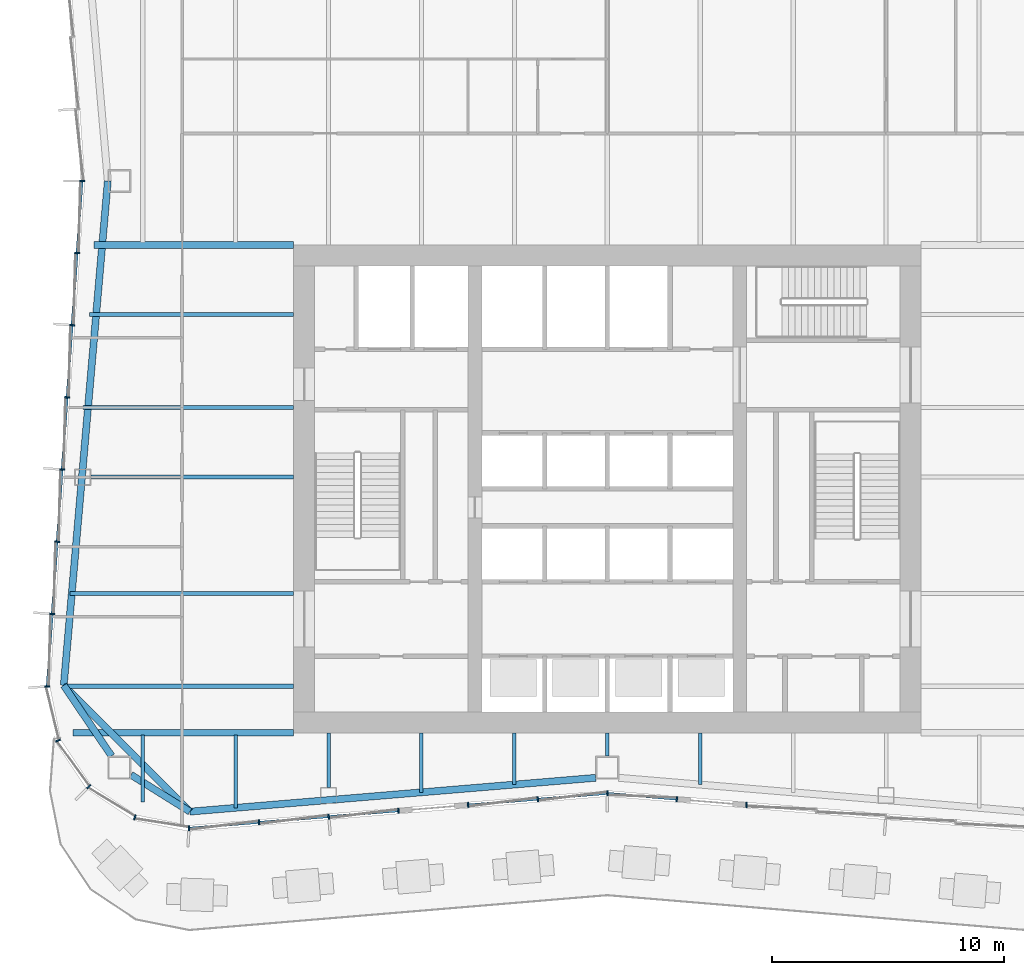
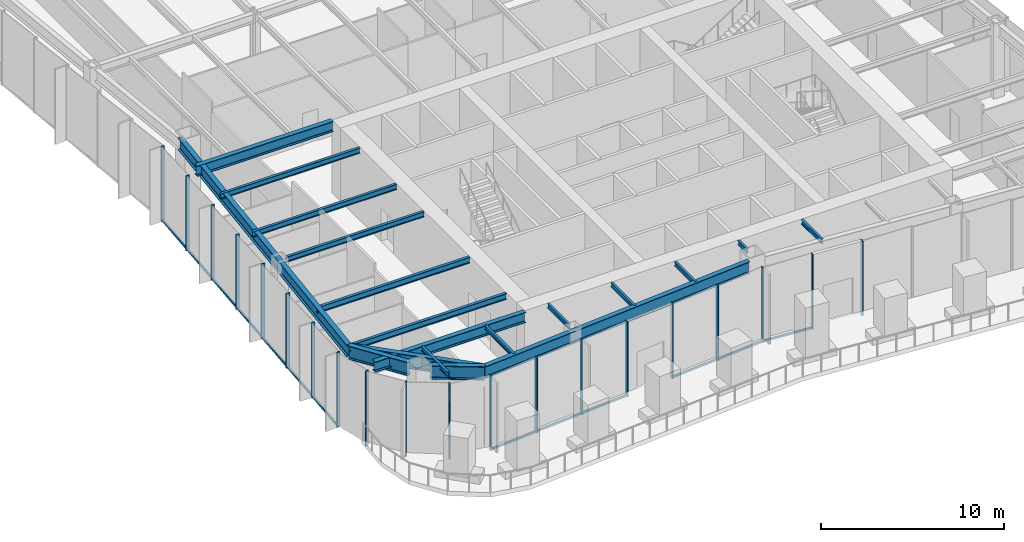
# One storey, part 2 of 16: 24 members, 19 beams, 3 elements without a shape of their own.
"""IFC4 building model written with IfcOpenShell, lengths in metres."""

from ifc_helpers import new_model, si_unit, direction, frame, origin, origin_2d, place, context, subcontext, project, spatial, rectangle, i_section, extrude, material, material_profile, profile_set, type_object, element, aggregate, save


model = new_model("IFC4")

# Units and contexts
model_context = context("Model", 3, precision=1e-05, world=origin(), true_north=direction((0.0, 1.0)))
body_context = subcontext(model_context, "Body", "Model", "MODEL_VIEW")
ifc_project = project(units=[si_unit("LENGTHUNIT", "METRE"), si_unit("AREAUNIT", "SQUARE_METRE"), si_unit("VOLUMEUNIT", "CUBIC_METRE"), si_unit("PLANEANGLEUNIT", "RADIAN"), si_unit("MASSUNIT", "GRAM", prefix="KILO")], contexts=[model_context])

# Site, building, storey
site_placement = place(None, origin())
site = spatial("IfcSite", under=ifc_project, at=site_placement, CompositionType="ELEMENT")
building_placement = place(site_placement, origin())
building = spatial("IfcBuilding", under=site, at=building_placement, Name="Verdant Reach Tower", CompositionType="ELEMENT")
storey_placement = place(building_placement, frame((0.0, 0.0, 177.0)))
storey = spatial("IfcBuildingStorey", under=building, at=storey_placement, Name="L40", CompositionType="ELEMENT", Elevation=177.0)

# Curtain wall, members
ifc_material_1 = material(Name="Anodised aluminium", Category="aluminium")
curtain_wall_type = type_object("IfcCurtainWallType", Name="EN-CW SYSTEM Z3", PredefinedType="NOTDEFINED", material=ifc_material_1)
curtain_wall_1_placement = place(storey_placement, origin())
curtain_wall_1 = element("IfcCurtainWall", 1, at=curtain_wall_1_placement, inside=storey, type_object=curtain_wall_type, Name="Curtain wall west, L40", PredefinedType="NOTDEFINED")
ifc_material_profile_1 = material_profile(ifc_material_1, rectangle(XDim=0.218017578125, YDim=0.06591796875, at=origin_2d()), Name="Mullion 66x218")
ifc_profile_set_1 = profile_set([ifc_material_profile_1], Name="Anodised aluminium")
member_type_1 = type_object("IfcMemberType", Name="EN-MULLION Z3", PredefinedType="MULLION", material=ifc_profile_set_1)
member_1_placement = place(storey_placement, frame((-22.60888671875, 41.25, -0.35009765625), z_axis=(0.0, 0.0, 1.0), x_axis=(-1.0, 0.0, 0.0)))
member_1 = element("IfcMember", 2, at=member_1_placement, type_object=member_type_1, Name="Mullion west face part 2 1, L40", PredefinedType="MULLION", context=body_context, shape_type="SweptSolid", body=[
    extrude(rectangle(XDim=0.218017578125, YDim=0.06591796875, at=origin_2d()), origin(), (0.0, 0.0, 1.0), 5.0),
])
member_2_placement = place(storey_placement, frame((-22.822998046875, 38.150390625, -0.35009765625), z_axis=(0.0, 0.0, 1.0), x_axis=(-0.997630328423, 0.068802091615, 0.0)))
member_2 = element("IfcMember", 3, at=member_2_placement, type_object=member_type_1, Name="Mullion west face part 2 2, L40", PredefinedType="MULLION", context=body_context, shape_type="SweptSolid", body=[
    extrude(rectangle(XDim=0.218017578125, YDim=0.06591796875, at=origin_2d()), origin(), (0.0, 0.0, 1.0), 5.0),
])
member_3_placement = place(storey_placement, frame((-23.037353515625, 35.043212890625, -0.35009765625), z_axis=(0.0, 0.0, 1.0), x_axis=(-0.997630328423, 0.068802091615, 0.0)))
member_3 = element("IfcMember", 4, at=member_3_placement, type_object=member_type_1, Name="Mullion west face part 2 3, L40", PredefinedType="MULLION", context=body_context, shape_type="SweptSolid", body=[
    extrude(rectangle(XDim=0.218017578125, YDim=0.06591796875, at=origin_2d()), origin(), (0.0, 0.0, 1.0), 5.0),
])
member_4_placement = place(storey_placement, frame((-23.251708984375, 31.93603515625, -0.35009765625), z_axis=(0.0, 0.0, 1.0), x_axis=(-0.997630328423, 0.068802091615, 0.0)))
member_4 = element("IfcMember", 5, at=member_4_placement, type_object=member_type_1, Name="Mullion west face part 2 4, L40", PredefinedType="MULLION", context=body_context, shape_type="SweptSolid", body=[
    extrude(rectangle(XDim=0.218017578125, YDim=0.06591796875, at=origin_2d()), origin(), (0.0, 0.0, 1.0), 5.0),
])
member_5_placement = place(storey_placement, frame((-23.4658203125, 28.828857421875, -0.35009765625), z_axis=(0.0, 0.0, 1.0), x_axis=(-0.997630328423, 0.068802091615, 0.0)))
member_5 = element("IfcMember", 6, at=member_5_placement, type_object=member_type_1, Name="Mullion west face part 2 5, L40", PredefinedType="MULLION", context=body_context, shape_type="SweptSolid", body=[
    extrude(rectangle(XDim=0.218017578125, YDim=0.06591796875, at=origin_2d()), origin(), (0.0, 0.0, 1.0), 5.0),
])
member_6_placement = place(storey_placement, frame((-23.68017578125, 25.7216796875, -0.35009765625), z_axis=(0.0, 0.0, 1.0), x_axis=(-0.997630328423, 0.068802091615, 0.0)))
member_6 = element("IfcMember", 7, at=member_6_placement, type_object=member_type_1, Name="Mullion west face part 2 6, L40", PredefinedType="MULLION", context=body_context, shape_type="SweptSolid", body=[
    extrude(rectangle(XDim=0.218017578125, YDim=0.06591796875, at=origin_2d()), origin(), (0.0, 0.0, 1.0), 5.0),
])
member_7_placement = place(storey_placement, frame((-23.89453125, 22.61474609375, -0.35009765625), z_axis=(0.0, 0.0, 1.0), x_axis=(-0.997630328423, 0.068802091615, 0.0)))
member_7 = element("IfcMember", 8, at=member_7_placement, type_object=member_type_1, Name="Mullion west face part 2 7, L40", PredefinedType="MULLION", context=body_context, shape_type="SweptSolid", body=[
    extrude(rectangle(XDim=0.218017578125, YDim=0.06591796875, at=origin_2d()), origin(), (0.0, 0.0, 1.0), 5.0),
])

curtain_wall_2_placement = place(storey_placement, origin())
curtain_wall_2 = element("IfcCurtainWall", 9, at=curtain_wall_2_placement, inside=storey, type_object=curtain_wall_type, Name="Curtain wall south-west corner, L40", PredefinedType="NOTDEFINED")
member_8_placement = place(storey_placement, frame((-24.10888671875, 19.4931640625, -0.35009765625), z_axis=(0.0, 0.0, 1.0), x_axis=(-0.997969180898, -0.063698618332, 0.0)))
member_8 = element("IfcMember", 10, at=member_8_placement, type_object=member_type_1, Name="Mullion south-west corner 1, L40", PredefinedType="MULLION", context=body_context, shape_type="SweptSolid", body=[
    extrude(rectangle(XDim=0.218017578125, YDim=0.06591796875, at=origin_2d()), origin(), (0.0, 0.0, 1.0), 5.0),
])
member_9_placement = place(storey_placement, frame((-23.64404296875, 17.162109375, -0.35009765625), z_axis=(0.0, 0.0, 1.0), x_axis=(-0.923875215753, -0.382693853776, 0.0)))
member_9 = element("IfcMember", 11, at=member_9_placement, type_object=member_type_1, Name="Mullion south-west corner 2, L40", PredefinedType="MULLION", context=body_context, shape_type="SweptSolid", body=[
    extrude(rectangle(XDim=0.218017578125, YDim=0.06591796875, at=origin_2d()), origin(), (0.0, 0.0, 1.0), 5.0),
])
member_10_placement = place(storey_placement, frame((-22.319580078125, 15.180419921875, -0.35009765625), z_axis=(0.0, 0.0, 1.0), x_axis=(-0.707106781187, -0.707106781187, 0.0)))
member_10 = element("IfcMember", 12, at=member_10_placement, type_object=member_type_1, Name="Mullion south-west corner 3, L40", PredefinedType="MULLION", context=body_context, shape_type="SweptSolid", body=[
    extrude(rectangle(XDim=0.218017578125, YDim=0.06591796875, at=origin_2d()), origin(), (0.0, 0.0, 1.0), 5.0),
])
member_11_placement = place(storey_placement, frame((-20.337890625, 13.85595703125, -0.35009765625), z_axis=(0.0, 0.0, 1.0), x_axis=(-0.382693853776, -0.923875215753, 0.0)))
member_11 = element("IfcMember", 13, at=member_11_placement, type_object=member_type_1, Name="Mullion south-west corner 4, L40", PredefinedType="MULLION", context=body_context, shape_type="SweptSolid", body=[
    extrude(rectangle(XDim=0.218017578125, YDim=0.06591796875, at=origin_2d()), origin(), (0.0, 0.0, 1.0), 5.0),
])
aggregate(curtain_wall_2, [member_8, member_9, member_10, member_11])

curtain_wall_3_placement = place(storey_placement, origin())
curtain_wall_3 = element("IfcCurtainWall", 14, at=curtain_wall_3_placement, inside=storey, type_object=curtain_wall_type, Name="Curtain wall south, L40", PredefinedType="NOTDEFINED")
member_12_placement = place(storey_placement, frame((-18.006103515625, 13.39111328125, -0.35009765625), z_axis=(0.0, 0.0, 1.0), x_axis=(-0.056569187765, -0.998398681387, 0.0)))
member_12 = element("IfcMember", 15, at=member_12_placement, type_object=member_type_1, Name="Mullion south face part 1 1, L40", PredefinedType="MULLION", context=body_context, shape_type="SweptSolid", body=[
    extrude(rectangle(XDim=0.218017578125, YDim=0.06591796875, at=origin_2d()), origin(), (0.0, 0.0, 1.0), 5.0),
])
member_13_placement = place(storey_placement, frame((-14.990966796875, 13.641357421875, -0.35009765625), z_axis=(0.0, 0.0, 1.0), x_axis=(0.083045479859, -0.996545758244, 0.0)))
member_13 = element("IfcMember", 16, at=member_13_placement, type_object=member_type_1, Name="Mullion south face part 1 2, L40", PredefinedType="MULLION", context=body_context, shape_type="SweptSolid", body=[
    extrude(rectangle(XDim=0.218017578125, YDim=0.06591796875, at=origin_2d()), origin(), (0.0, 0.0, 1.0), 5.0),
])
member_14_placement = place(storey_placement, frame((-11.990966796875, 13.891357421875, -0.35009765625), z_axis=(0.0, 0.0, 1.0), x_axis=(0.083045479859, -0.996545758244, 0.0)))
member_14 = element("IfcMember", 17, at=member_14_placement, type_object=member_type_1, Name="Mullion south face part 1 3, L40", PredefinedType="MULLION", context=body_context, shape_type="SweptSolid", body=[
    extrude(rectangle(XDim=0.218017578125, YDim=0.06591796875, at=origin_2d()), origin(), (0.0, 0.0, 1.0), 5.0),
])
member_15_placement = place(storey_placement, frame((-8.990966796875, 14.141357421875, -0.35009765625), z_axis=(0.0, 0.0, 1.0), x_axis=(0.083045479859, -0.996545758244, 0.0)))
member_15 = element("IfcMember", 18, at=member_15_placement, type_object=member_type_1, Name="Mullion south face part 1 4, L40", PredefinedType="MULLION", context=body_context, shape_type="SweptSolid", body=[
    extrude(rectangle(XDim=0.218017578125, YDim=0.06591796875, at=origin_2d()), origin(), (0.0, 0.0, 1.0), 5.0),
])
member_16_placement = place(storey_placement, frame((-5.990966796875, 14.391357421875, -0.35009765625), z_axis=(0.0, 0.0, 1.0), x_axis=(0.083045479859, -0.996545758244, 0.0)))
member_16 = element("IfcMember", 19, at=member_16_placement, type_object=member_type_1, Name="Mullion south face part 1 5, L40", PredefinedType="MULLION", context=body_context, shape_type="SweptSolid", body=[
    extrude(rectangle(XDim=0.218017578125, YDim=0.06591796875, at=origin_2d()), origin(), (0.0, 0.0, 1.0), 5.0),
])
member_17_placement = place(storey_placement, frame((-2.990966796875, 14.641357421875, -0.35009765625), z_axis=(0.0, 0.0, 1.0), x_axis=(0.083045479859, -0.996545758244, 0.0)))
member_17 = element("IfcMember", 20, at=member_17_placement, type_object=member_type_1, Name="Mullion south face part 1 6, L40", PredefinedType="MULLION", context=body_context, shape_type="SweptSolid", body=[
    extrude(rectangle(XDim=0.218017578125, YDim=0.06591796875, at=origin_2d()), origin(), (0.0, 0.0, 1.0), 5.0),
])
member_18_placement = place(storey_placement, frame((0.0, 14.89111328125, -0.35009765625), z_axis=(0.0, 0.0, 1.0), x_axis=(0.0, -1.0, 0.0)))
member_18 = element("IfcMember", 21, at=member_18_placement, type_object=member_type_1, Name="Mullion south face part 2 1, L40", PredefinedType="MULLION", context=body_context, shape_type="SweptSolid", body=[
    extrude(rectangle(XDim=0.218017578125, YDim=0.06591796875, at=origin_2d()), origin(), (0.0, 0.0, 1.0), 5.0),
])
member_19_placement = place(storey_placement, frame((2.990966796875, 14.641357421875, -0.35009765625), z_axis=(0.0, 0.0, 1.0), x_axis=(-0.083045479859, -0.996545758244, 0.0)))
member_19 = element("IfcMember", 22, at=member_19_placement, type_object=member_type_1, Name="Mullion south face part 2 2, L40", PredefinedType="MULLION", context=body_context, shape_type="SweptSolid", body=[
    extrude(rectangle(XDim=0.218017578125, YDim=0.06591796875, at=origin_2d()), origin(), (0.0, 0.0, 1.0), 5.0),
])
member_20_placement = place(storey_placement, frame((5.990966796875, 14.391357421875, -0.35009765625), z_axis=(0.0, 0.0, 1.0), x_axis=(-0.083045479859, -0.996545758244, 0.0)))
member_20 = element("IfcMember", 23, at=member_20_placement, type_object=member_type_1, Name="Mullion south face part 2 3, L40", PredefinedType="MULLION", context=body_context, shape_type="SweptSolid", body=[
    extrude(rectangle(XDim=0.218017578125, YDim=0.06591796875, at=origin_2d()), origin(), (0.0, 0.0, 1.0), 5.0),
])

# Member
ifc_material_profile_2 = material_profile(ifc_material_1, rectangle(XDim=0.10009765625, YDim=0.1259765625, at=origin_2d()), Name="Transom 126x100")
ifc_profile_set_2 = profile_set([ifc_material_profile_2], Name="Anodised aluminium")
member_type_2 = type_object("IfcMemberType", Name="EN-TRANSOM Z3", PredefinedType="USERDEFINED", material=ifc_profile_set_2)
member_21_placement = place(storey_placement, frame((-22.611328125, 41.217041015625, -0.287109375), z_axis=(-0.068764326054, -0.997632932226, 0.0), x_axis=(0.997632932226, -0.068764326054, 0.0)))
member_21 = element("IfcMember", 24, at=member_21_placement, type_object=member_type_2, Name="Transom west face part 2 1.1, L40", ObjectType="TRANSOM", PredefinedType="USERDEFINED", context=body_context, shape_type="SweptSolid", body=[
    extrude(rectangle(XDim=0.10009765625, YDim=0.1259765625, at=origin_2d()), origin(), (0.0, 0.0, 1.0), 21.74267578125),
])

aggregate(curtain_wall_1, [member_1, member_2, member_3, member_4, member_5, member_6, member_7, member_21])

member_22_placement = place(storey_placement, frame((-17.973388671875, 13.393798828125, -0.287109375), z_axis=(0.996554190111, 0.082944235317, 0.0), x_axis=(-0.082944235317, 0.996554190111, 0.0)))
member_22 = element("IfcMember", 25, at=member_22_placement, type_object=member_type_2, Name="Transom south face part 1 1.1, L40", ObjectType="TRANSOM", PredefinedType="USERDEFINED", context=body_context, shape_type="SweptSolid", body=[
    extrude(rectangle(XDim=0.10009765625, YDim=0.1259765625, at=origin_2d()), origin(), (0.0, 0.0, 1.0), 8.98046875),
])

member_23_placement = place(storey_placement, frame((-5.9580078125, 14.39404296875, -0.287109375), z_axis=(0.996540375579, 0.083110046569, 0.0), x_axis=(-0.083110046569, 0.996540375579, 0.0)))
member_23 = element("IfcMember", 26, at=member_23_placement, type_object=member_type_2, Name="Transom south face part 1 2.1, L40", ObjectType="TRANSOM", PredefinedType="USERDEFINED", context=body_context, shape_type="SweptSolid", body=[
    extrude(rectangle(XDim=0.10009765625, YDim=0.1259765625, at=origin_2d()), origin(), (0.0, 0.0, 1.0), 5.945556640625),
])

member_24_placement = place(storey_placement, frame((0.032958984375, 14.88818359375, -0.287109375), z_axis=(0.996534850703, -0.083176266647, 0.0), x_axis=(0.083176266647, 0.996534850703, 0.0)))
member_24 = element("IfcMember", 27, at=member_24_placement, type_object=member_type_2, Name="Transom south face part 2 1.1, L40", ObjectType="TRANSOM", PredefinedType="USERDEFINED", context=body_context, shape_type="SweptSolid", body=[
    extrude(rectangle(XDim=0.10009765625, YDim=0.1259765625, at=origin_2d()), origin(), (0.0, 0.0, 1.0), 2.935302734375),
])

aggregate(curtain_wall_3, [member_12, member_13, member_14, member_15, member_16, member_17, member_22, member_23, member_18, member_19, member_20, member_24])

# Beams
ifc_material_2 = material(Name="Steel S355", Category="steel")
ifc_material_profile_3 = material_profile(ifc_material_2, i_section(OverallWidth=0.300048828125, OverallDepth=0.699951171875, WebThickness=0.01708984375, FlangeThickness=0.031982421875, FilletRadius=0.027099609375, at=origin_2d()), Name="HEB 700")
ifc_profile_set_3 = profile_set([ifc_material_profile_3], Name="Steel S355")
beam_type_1 = type_object("IfcBeamType", Name="ST-BEAM-HEB700", PredefinedType="BEAM", material=ifc_profile_set_3)
beam_1_placement = place(storey_placement, frame((-13.5, 38.5, 4.52001953125), z_axis=(-1.0, 0.0, 0.0), x_axis=(0.0, -1.0, 0.0)))
element("IfcBeam", 28, at=beam_1_placement, inside=storey, type_object=beam_type_1, Name="Trimmer beam, L40", PredefinedType="BEAM", context=body_context, shape_type="SweptSolid", body=[
    extrude(i_section(OverallWidth=0.300048828125, OverallDepth=0.699951171875, WebThickness=0.01708984375, FlangeThickness=0.031982421875, FilletRadius=0.027099609375, at=origin_2d()), origin(), (0.0, 0.0, 1.0), 8.588134765625),
])
beam_2_placement = place(storey_placement, frame((-13.5, 17.5, 4.52001953125), z_axis=(-1.0, 0.0, 0.0), x_axis=(0.0, -1.0, 0.0)))
element("IfcBeam", 29, at=beam_2_placement, inside=storey, type_object=beam_type_1, Name="Trimmer beam, L40", PredefinedType="BEAM", context=body_context, shape_type="SweptSolid", body=[
    extrude(i_section(OverallWidth=0.300048828125, OverallDepth=0.699951171875, WebThickness=0.01708984375, FlangeThickness=0.031982421875, FilletRadius=0.027099609375, at=origin_2d()), origin(), (0.0, 0.0, 1.0), 9.490478515625),
])
ifc_material_profile_4 = material_profile(ifc_material_2, i_section(OverallWidth=0.302001953125, OverallDepth=0.909912109375, WebThickness=0.02099609375, FlangeThickness=0.0400390625, FilletRadius=0.030029296875, at=origin_2d()), Name="HEM 900")
ifc_profile_set_4 = profile_set([ifc_material_profile_4], Name="Steel S355")
beam_type_2 = type_object("IfcBeamType", Name="ST-BEAM-HEM900", PredefinedType="BEAM", material=ifc_profile_set_4)
beam_3_placement = place(storey_placement, frame((-20.5, 15.687744140625, 4.4150390625), z_axis=(0.848163521635, -0.529734500073, 0.0), x_axis=(0.529734500073, 0.848163521635, 0.0)))
element("IfcBeam", 30, at=beam_3_placement, inside=storey, type_object=beam_type_2, Name="Column stub beam, L40", PredefinedType="BEAM", context=body_context, shape_type="SweptSolid", body=[
    extrude(i_section(OverallWidth=0.302001953125, OverallDepth=0.909912109375, WebThickness=0.02099609375, FlangeThickness=0.0400390625, FilletRadius=0.030029296875, at=origin_2d()), origin(), (0.0, 0.0, 1.0), 2.98779296875),
])
beam_4_placement = place(storey_placement, frame((-21.33837890625, 16.5, 4.4150390625), z_axis=(-0.560703975309, 0.828016335631, 0.0), x_axis=(-0.828016335631, -0.560703975309, 0.0)))
element("IfcBeam", 31, at=beam_4_placement, inside=storey, type_object=beam_type_2, Name="Column stub beam, L40", PredefinedType="BEAM", context=body_context, shape_type="SweptSolid", body=[
    extrude(i_section(OverallWidth=0.302001953125, OverallDepth=0.909912109375, WebThickness=0.02099609375, FlangeThickness=0.0400390625, FilletRadius=0.030029296875, at=origin_2d()), origin(), (0.0, 0.0, 1.0), 3.669677734375),
])
ifc_material_profile_5 = material_profile(ifc_material_2, i_section(OverallWidth=0.14990234375, OverallDepth=0.300048828125, WebThickness=0.007080078125, FlangeThickness=0.0107421875, FilletRadius=0.014892578125, at=origin_2d()), Name="IPE 300")
ifc_profile_set_5 = profile_set([ifc_material_profile_5], Name="Steel S355")
beam_type_3 = type_object("IfcBeamType", Name="ST-JOIST-IPE300", PredefinedType="JOIST", material=ifc_profile_set_5)
beam_5_placement = place(storey_placement, frame((-20.0, 17.39990234375, 4.719970703125), z_axis=(0.0, -1.0, 0.0), x_axis=(1.0, 0.0, 0.0)))
element("IfcBeam", 32, at=beam_5_placement, inside=storey, type_object=beam_type_3, Name="Floor joist, L40", PredefinedType="JOIST", context=body_context, shape_type="SweptSolid", body=[
    extrude(i_section(OverallWidth=0.14990234375, OverallDepth=0.300048828125, WebThickness=0.007080078125, FlangeThickness=0.0107421875, FilletRadius=0.014892578125, at=origin_2d()), origin(), (0.0, 0.0, 1.0), 2.890380859375),
])
beam_6_placement = place(storey_placement, frame((-16.0, 17.39990234375, 4.719970703125), z_axis=(0.0, -1.0, 0.0), x_axis=(1.0, 0.0, 0.0)))
element("IfcBeam", 33, at=beam_6_placement, inside=storey, type_object=beam_type_3, Name="Floor joist, L40", PredefinedType="JOIST", context=body_context, shape_type="SweptSolid", body=[
    extrude(i_section(OverallWidth=0.14990234375, OverallDepth=0.300048828125, WebThickness=0.007080078125, FlangeThickness=0.0107421875, FilletRadius=0.014892578125, at=origin_2d()), origin(), (0.0, 0.0, 1.0), 3.131103515625),
])
beam_7_placement = place(storey_placement, frame((-12.0, 17.5, 4.719970703125), z_axis=(0.0, -1.0, 0.0), x_axis=(1.0, 0.0, 0.0)))
element("IfcBeam", 34, at=beam_7_placement, inside=storey, type_object=beam_type_3, Name="Floor joist, L40", PredefinedType="JOIST", context=body_context, shape_type="SweptSolid", body=[
    extrude(i_section(OverallWidth=0.14990234375, OverallDepth=0.300048828125, WebThickness=0.007080078125, FlangeThickness=0.0107421875, FilletRadius=0.014892578125, at=origin_2d()), origin(), (0.0, 0.0, 1.0), 2.35009765625),
])
beam_8_placement = place(storey_placement, frame((-8.0, 17.5, 4.719970703125), z_axis=(0.0, -1.0, 0.0), x_axis=(1.0, 0.0, 0.0)))
element("IfcBeam", 35, at=beam_8_placement, inside=storey, type_object=beam_type_3, Name="Floor joist, L40", PredefinedType="JOIST", context=body_context, shape_type="SweptSolid", body=[
    extrude(i_section(OverallWidth=0.14990234375, OverallDepth=0.300048828125, WebThickness=0.007080078125, FlangeThickness=0.0107421875, FilletRadius=0.014892578125, at=origin_2d()), origin(), (0.0, 0.0, 1.0), 2.564697265625),
])
beam_9_placement = place(storey_placement, frame((-4.0, 17.5, 4.719970703125), z_axis=(0.0, -1.0, 0.0), x_axis=(1.0, 0.0, 0.0)))
element("IfcBeam", 36, at=beam_9_placement, inside=storey, type_object=beam_type_3, Name="Floor joist, L40", PredefinedType="JOIST", context=body_context, shape_type="SweptSolid", body=[
    extrude(i_section(OverallWidth=0.14990234375, OverallDepth=0.300048828125, WebThickness=0.007080078125, FlangeThickness=0.0107421875, FilletRadius=0.014892578125, at=origin_2d()), origin(), (0.0, 0.0, 1.0), 2.231201171875),
])
beam_10_placement = place(storey_placement, frame((0.0, 17.5, 4.719970703125), z_axis=(0.0, -1.0, 0.0), x_axis=(1.0, 0.0, 0.0)))
element("IfcBeam", 37, at=beam_10_placement, inside=storey, type_object=beam_type_3, Name="Floor joist, L40", PredefinedType="JOIST", context=body_context, shape_type="SweptSolid", body=[
    extrude(i_section(OverallWidth=0.14990234375, OverallDepth=0.300048828125, WebThickness=0.007080078125, FlangeThickness=0.0107421875, FilletRadius=0.014892578125, at=origin_2d()), origin(), (0.0, 0.0, 1.0), 1.0),
])
beam_11_placement = place(storey_placement, frame((4.0, 17.5, 4.719970703125), z_axis=(0.0, -1.0, 0.0), x_axis=(1.0, 0.0, 0.0)))
element("IfcBeam", 38, at=beam_11_placement, inside=storey, type_object=beam_type_3, Name="Floor joist, L40", PredefinedType="JOIST", context=body_context, shape_type="SweptSolid", body=[
    extrude(i_section(OverallWidth=0.14990234375, OverallDepth=0.300048828125, WebThickness=0.007080078125, FlangeThickness=0.0107421875, FilletRadius=0.014892578125, at=origin_2d()), origin(), (0.0, 0.0, 1.0), 2.231201171875),
])
ifc_material_profile_6 = material_profile(ifc_material_2, i_section(OverallWidth=0.169921875, OverallDepth=0.360107421875, WebThickness=0.008056640625, FlangeThickness=0.0126953125, FilletRadius=0.01806640625, at=origin_2d()), Name="IPE 360")
ifc_profile_set_6 = profile_set([ifc_material_profile_6], Name="Steel S355")
beam_type_4 = type_object("IfcBeamType", Name="ST-JOIST-IPE360", PredefinedType="JOIST", material=ifc_profile_set_6)
beam_12_placement = place(storey_placement, frame((-13.5, 28.5, 4.68994140625), z_axis=(-1.0, 0.0, 0.0), x_axis=(0.0, -1.0, 0.0)))
element("IfcBeam", 39, at=beam_12_placement, inside=storey, type_object=beam_type_4, Name="Floor joist, L40", PredefinedType="JOIST", context=body_context, shape_type="SweptSolid", body=[
    extrude(i_section(OverallWidth=0.169921875, OverallDepth=0.360107421875, WebThickness=0.008056640625, FlangeThickness=0.0126953125, FilletRadius=0.01806640625, at=origin_2d()), origin(), (0.0, 0.0, 1.0), 8.729248046875),
])
beam_13_placement = place(storey_placement, frame((-13.5, 31.5, 4.68994140625), z_axis=(-1.0, 0.0, 0.0), x_axis=(0.0, -1.0, 0.0)))
element("IfcBeam", 40, at=beam_13_placement, inside=storey, type_object=beam_type_4, Name="Floor joist, L40", PredefinedType="JOIST", context=body_context, shape_type="SweptSolid", body=[
    extrude(i_section(OverallWidth=0.169921875, OverallDepth=0.360107421875, WebThickness=0.008056640625, FlangeThickness=0.0126953125, FilletRadius=0.01806640625, at=origin_2d()), origin(), (0.0, 0.0, 1.0), 9.071044921875),
])
beam_14_placement = place(storey_placement, frame((-13.5, 35.5, 4.68994140625), z_axis=(-1.0, 0.0, 0.0), x_axis=(0.0, -1.0, 0.0)))
element("IfcBeam", 41, at=beam_14_placement, inside=storey, type_object=beam_type_4, Name="Floor joist, L40", PredefinedType="JOIST", context=body_context, shape_type="SweptSolid", body=[
    extrude(i_section(OverallWidth=0.169921875, OverallDepth=0.360107421875, WebThickness=0.008056640625, FlangeThickness=0.0126953125, FilletRadius=0.01806640625, at=origin_2d()), origin(), (0.0, 0.0, 1.0), 8.795166015625),
])
ifc_material_profile_7 = material_profile(ifc_material_2, i_section(OverallWidth=0.179931640625, OverallDepth=0.39990234375, WebThickness=0.008544921875, FlangeThickness=0.013427734375, FilletRadius=0.02099609375, at=origin_2d()), Name="IPE 400")
ifc_profile_set_7 = profile_set([ifc_material_profile_7], Name="Steel S355")
beam_type_5 = type_object("IfcBeamType", Name="ST-JOIST-IPE400", PredefinedType="JOIST", material=ifc_profile_set_7)
beam_15_placement = place(storey_placement, frame((-13.5, 19.5, 4.669921875), z_axis=(-1.0, 0.0, 0.0), x_axis=(0.0, -1.0, 0.0)))
element("IfcBeam", 42, at=beam_15_placement, inside=storey, type_object=beam_type_5, Name="Floor joist, L40", PredefinedType="JOIST", context=body_context, shape_type="SweptSolid", body=[
    extrude(i_section(OverallWidth=0.179931640625, OverallDepth=0.39990234375, WebThickness=0.008544921875, FlangeThickness=0.013427734375, FilletRadius=0.02099609375, at=origin_2d()), origin(), (0.0, 0.0, 1.0), 9.88818359375),
])
beam_16_placement = place(storey_placement, frame((-13.5, 23.5, 4.669921875), z_axis=(-1.0, 0.0, 0.0), x_axis=(0.0, -1.0, 0.0)))
element("IfcBeam", 43, at=beam_16_placement, inside=storey, type_object=beam_type_5, Name="Floor joist, L40", PredefinedType="JOIST", context=body_context, shape_type="SweptSolid", body=[
    extrude(i_section(OverallWidth=0.179931640625, OverallDepth=0.39990234375, WebThickness=0.008544921875, FlangeThickness=0.013427734375, FilletRadius=0.02099609375, at=origin_2d()), origin(), (0.0, 0.0, 1.0), 9.622802734375),
])
ifc_material_profile_8 = material_profile(ifc_material_2, i_section(OverallWidth=0.300048828125, OverallDepth=0.800048828125, WebThickness=0.017578125, FlangeThickness=0.032958984375, FilletRadius=0.030029296875, at=origin_2d()), Name="HEB 800")
ifc_profile_set_8 = profile_set([ifc_material_profile_8], Name="Steel S355")
beam_type_6 = type_object("IfcBeamType", Name="ST-SPANDREL-HEB800", PredefinedType="SPANDREL", material=ifc_profile_set_8)
beam_17_placement = place(storey_placement, frame((-0.5, 15.560302734375, 4.469970703125), z_axis=(-0.99654652675, -0.083036257282, 0.0), x_axis=(0.083036257282, -0.99654652675, 0.0)))
element("IfcBeam", 44, at=beam_17_placement, inside=storey, type_object=beam_type_6, Name="Edge beam, L40", PredefinedType="SPANDREL", context=body_context, shape_type="SweptSolid", body=[
    extrude(i_section(OverallWidth=0.300048828125, OverallDepth=0.800048828125, WebThickness=0.017578125, FlangeThickness=0.032958984375, FilletRadius=0.030029296875, at=origin_2d()), origin(), (0.0, 0.0, 1.0), 17.5263671875),
])
beam_18_placement = place(storey_placement, frame((-23.39599609375, 19.53857421875, 4.469970703125), z_axis=(0.086996024331, 0.996208658741, 0.0), x_axis=(-0.996208658741, 0.086996024331, 0.0)))
element("IfcBeam", 45, at=beam_18_placement, inside=storey, type_object=beam_type_6, Name="Edge beam, L40", PredefinedType="SPANDREL", context=body_context, shape_type="SweptSolid", body=[
    extrude(i_section(OverallWidth=0.300048828125, OverallDepth=0.800048828125, WebThickness=0.017578125, FlangeThickness=0.032958984375, FilletRadius=0.030029296875, at=origin_2d()), origin(), (0.0, 0.0, 1.0), 21.7939453125),
])
ifc_material_profile_9 = material_profile(ifc_material_2, i_section(OverallWidth=0.302001953125, OverallDepth=0.909912109375, WebThickness=0.02099609375, FlangeThickness=0.0400390625, FilletRadius=0.030029296875, at=origin_2d()), Name="HEM 900")
ifc_profile_set_9 = profile_set([ifc_material_profile_9], Name="Steel S355")
beam_type_7 = type_object("IfcBeamType", Name="ST-SPANDREL-HEM900", PredefinedType="SPANDREL", material=ifc_profile_set_9)
beam_19_placement = place(storey_placement, frame((-17.9658203125, 14.10498046875, 4.4150390625), z_axis=(-0.706884275642, 0.707329216738, 0.0), x_axis=(-0.707329216738, -0.706884275642, 0.0)))
element("IfcBeam", 46, at=beam_19_placement, inside=storey, type_object=beam_type_7, Name="Edge beam, L40", PredefinedType="SPANDREL", context=body_context, shape_type="SweptSolid", body=[
    extrude(i_section(OverallWidth=0.302001953125, OverallDepth=0.909912109375, WebThickness=0.02099609375, FlangeThickness=0.0400390625, FilletRadius=0.030029296875, at=origin_2d()), origin(), (0.0, 0.0, 1.0), 7.681884765625),
])

save(model, "model.ifc")
